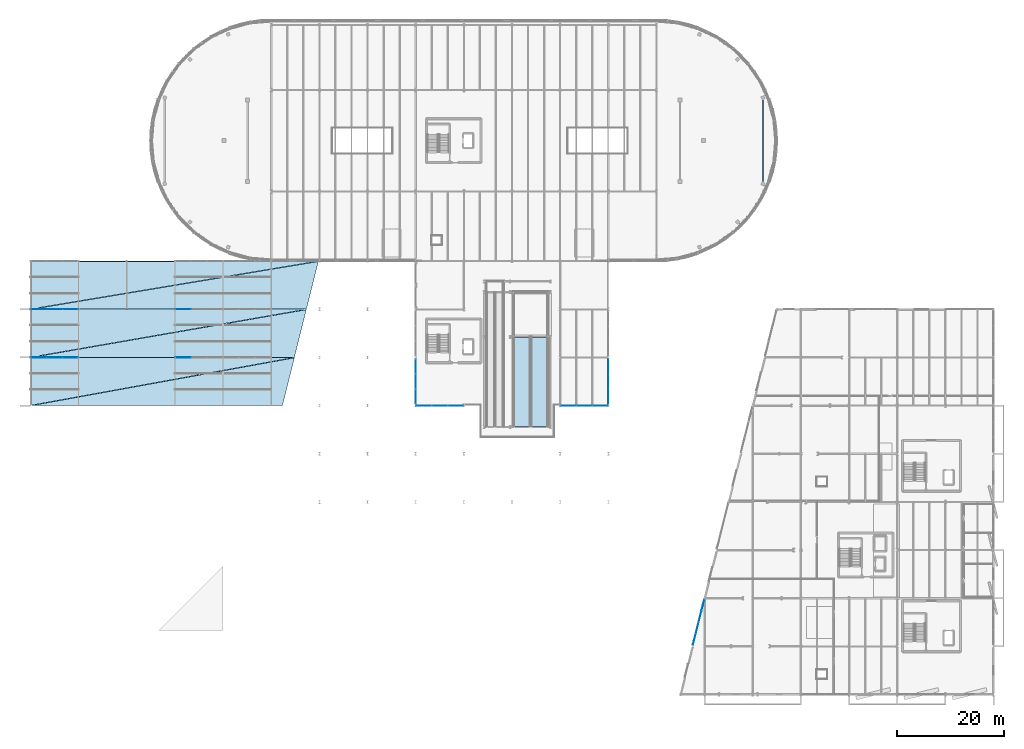
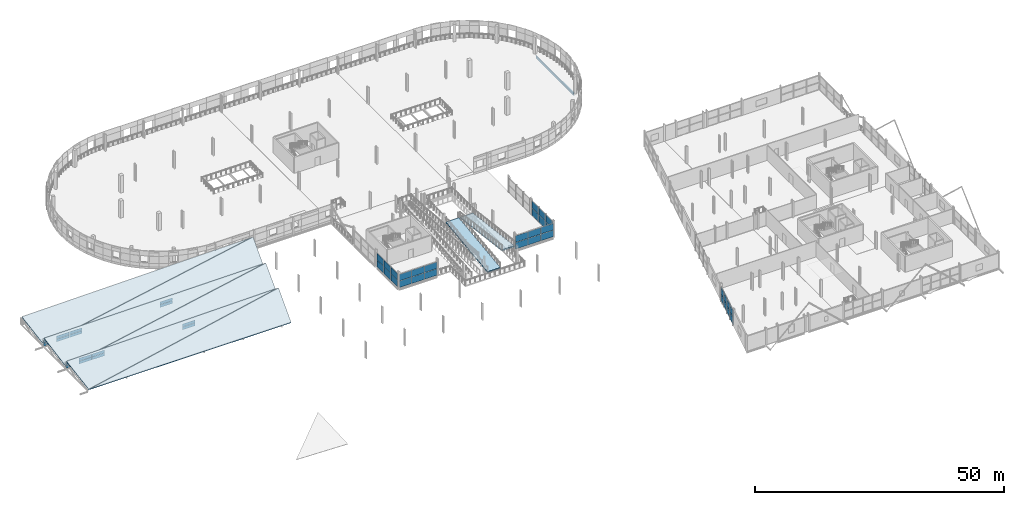
# One storey, part 71 of 103: 48 plates, 8 slabs, 1 beam, 9 elements without a shape of their own.
"""IFC4 building model written with IfcOpenShell, lengths in metres."""

from ifc_helpers import new_model, si_unit, direction, frame, origin, origin_2d, place, context, subcontext, project, spatial, polyline, rectangle, i_section, outline, extrude, material, layer, layer_set, material_profile, profile_set, type_object, element, aggregate, save


model = new_model("IFC4")

# Units and contexts
model_context = context("Model", 3, precision=1e-05, world=origin(), true_north=direction((0.0, 1.0)))
body_context = subcontext(model_context, "Body", "Model", "MODEL_VIEW")
ifc_project = project(units=[si_unit("LENGTHUNIT", "METRE"), si_unit("AREAUNIT", "SQUARE_METRE"), si_unit("VOLUMEUNIT", "CUBIC_METRE"), si_unit("PLANEANGLEUNIT", "RADIAN"), si_unit("MASSUNIT", "GRAM", prefix="KILO")], contexts=[model_context])

# Site, building, storey
site_placement = place(None, origin())
site = spatial("IfcSite", under=ifc_project, at=site_placement, CompositionType="ELEMENT")
building_placement = place(site_placement, origin())
building = spatial("IfcBuilding", under=site, at=building_placement, Name="Deido Ridge Mobility Hub", CompositionType="ELEMENT")
storey_placement = place(building_placement, frame((0.0, 0.0, 12.60009765625)))
storey = spatial("IfcBuildingStorey", under=building, at=storey_placement, Name="L03", CompositionType="ELEMENT", Elevation=12.60009765625)

# Beam
ifc_material_1 = material(Name="Steel S355J2 EN 10025-2", Category="steel")
ifc_material_profile = material_profile(ifc_material_1, i_section(OverallWidth=0.219970703125, OverallDepth=0.60009765625, WebThickness=0.011962890625, FlangeThickness=0.01904296875, FilletRadius=0.02392578125, at=origin_2d()), Name="IPE 600")
ifc_profile_set = profile_set([ifc_material_profile], Name="Steel S355J2 EN 10025-2")
beam_type = type_object("IfcBeamType", Name="BM-IPE600", PredefinedType="BEAM", material=ifc_profile_set)
beam_placement = place(storey_placement, frame((136.889892578125, 95.8505859375, -0.565185546875), z_axis=(0.0, 1.0, 0.0), x_axis=(-1.0, 0.0, 0.0)))
element("IfcBeam", 1, at=beam_placement, inside=storey, type_object=beam_type, Name="Floor beam B1", PredefinedType="BEAM", context=body_context, shape_type="SweptSolid", body=[
    extrude(i_section(OverallWidth=0.219970703125, OverallDepth=0.60009765625, WebThickness=0.011962890625, FlangeThickness=0.01904296875, FilletRadius=0.02392578125, at=origin_2d()), origin(), (0.0, 0.0, 1.0), 15.298828125),
])

# Curtain wall, plates
ifc_material_2 = material(Name="Anodised aluminium EN AW-6063 T6", Category="aluminium")
ifc_layer_1 = layer(ifc_material_2, 0.2548828125, Name="Anodised aluminium EN AW-6063 T6")
ifc_layer_set_1 = layer_set([ifc_layer_1], Name="Anodised aluminium EN AW-6063 T6")
curtain_wall_type_1 = type_object("IfcCurtainWallType", Name="CW-UF-7", PredefinedType="USERDEFINED", material=ifc_layer_set_1)
curtain_wall_1_placement = place(storey_placement, origin())
curtain_wall_1 = element("IfcCurtainWall", 2, at=curtain_wall_1_placement, inside=storey, type_object=curtain_wall_type_1, Name="Unitised curtain wall CW7", ObjectType="UNITISED FACADE", PredefinedType="USERDEFINED")
ifc_material_3 = material(Name="Laminated solar-control low-E glass", Category="glass")
ifc_layer_2 = layer(ifc_material_3, 0.02587890625, Name="Laminated solar-control low-E glass")
ifc_layer_set_2 = layer_set([ifc_layer_2], Name="Laminated solar-control low-E glass")
plate_type_1 = type_object("IfcPlateType", Name="PLT-CWP-26", PredefinedType="CURTAIN_PANEL", material=ifc_layer_set_2)
plate_1_placement = place(storey_placement, frame((108.0, 55.67919921875, 0.0498046875), z_axis=(0.0, 0.0, 1.0), x_axis=(0.0, 1.0, 0.0)))
plate_1 = element("IfcPlate", 3, at=plate_1_placement, type_object=plate_type_1, Name="CW7 panel 1.1", PredefinedType="CURTAIN_PANEL", context=body_context, shape_type="SweptSolid", body=[
    extrude(rectangle(XDim=2.75830078125, YDim=0.02587890625, at=origin_2d()), origin(), (0.0, 0.0, 1.0), 1.72509765625),
])
plate_2_placement = place(storey_placement, frame((108.0, 55.67919921875, 1.824951171875), z_axis=(0.0, 0.0, 1.0), x_axis=(0.0, 1.0, 0.0)))
plate_2 = element("IfcPlate", 4, at=plate_2_placement, type_object=plate_type_1, Name="CW7 panel 1.2", PredefinedType="CURTAIN_PANEL", context=body_context, shape_type="SweptSolid", body=[
    extrude(rectangle(XDim=2.75830078125, YDim=0.02587890625, at=origin_2d()), origin(), (0.0, 0.0, 1.0), 1.72509765625),
])
plate_3_placement = place(storey_placement, frame((108.0, 58.5, 0.0498046875), z_axis=(0.0, 0.0, 1.0), x_axis=(0.0, 1.0, 0.0)))
plate_3 = element("IfcPlate", 5, at=plate_3_placement, type_object=plate_type_1, Name="CW7 panel 2.1", PredefinedType="CURTAIN_PANEL", context=body_context, shape_type="SweptSolid", body=[
    extrude(rectangle(XDim=2.783447265625, YDim=0.02587890625, at=origin_2d()), origin(), (0.0, 0.0, 1.0), 1.72509765625),
])
plate_4_placement = place(storey_placement, frame((108.0, 58.5, 1.824951171875), z_axis=(0.0, 0.0, 1.0), x_axis=(0.0, 1.0, 0.0)))
plate_4 = element("IfcPlate", 6, at=plate_4_placement, type_object=plate_type_1, Name="CW7 panel 2.2", PredefinedType="CURTAIN_PANEL", context=body_context, shape_type="SweptSolid", body=[
    extrude(rectangle(XDim=2.783447265625, YDim=0.02587890625, at=origin_2d()), origin(), (0.0, 0.0, 1.0), 1.72509765625),
])
plate_5_placement = place(storey_placement, frame((108.0, 61.32080078125, 0.0498046875), z_axis=(0.0, 0.0, 1.0), x_axis=(0.0, 1.0, 0.0)))
plate_5 = element("IfcPlate", 7, at=plate_5_placement, type_object=plate_type_1, Name="CW7 panel 3.1", PredefinedType="CURTAIN_PANEL", context=body_context, shape_type="SweptSolid", body=[
    extrude(rectangle(XDim=2.75830078125, YDim=0.02587890625, at=origin_2d()), origin(), (0.0, 0.0, 1.0), 1.72509765625),
])
plate_6_placement = place(storey_placement, frame((108.0, 61.32080078125, 1.824951171875), z_axis=(0.0, 0.0, 1.0), x_axis=(0.0, 1.0, 0.0)))
plate_6 = element("IfcPlate", 8, at=plate_6_placement, type_object=plate_type_1, Name="CW7 panel 3.2", PredefinedType="CURTAIN_PANEL", context=body_context, shape_type="SweptSolid", body=[
    extrude(rectangle(XDim=2.75830078125, YDim=0.02587890625, at=origin_2d()), origin(), (0.0, 0.0, 1.0), 1.72509765625),
])
aggregate(curtain_wall_1, [plate_1, plate_2, plate_3, plate_4, plate_5, plate_6])

ifc_layer_3 = layer(ifc_material_2, 0.179931640625, Name="Anodised aluminium EN AW-6063 T6")
ifc_layer_set_3 = layer_set([ifc_layer_3], Name="Anodised aluminium EN AW-6063 T6")
curtain_wall_type_2 = type_object("IfcCurtainWallType", Name="CW-UF-2", PredefinedType="USERDEFINED", material=ifc_layer_set_3)
curtain_wall_2_placement = place(storey_placement, origin())
curtain_wall_2 = element("IfcCurtainWall", 9, at=curtain_wall_2_placement, inside=storey, type_object=curtain_wall_type_2, Name="Unitised curtain wall CW2", ObjectType="UNITISED FACADE", PredefinedType="USERDEFINED")
plate_7_placement = place(storey_placement, frame((124.0810546875, 10.324462890625, 0.050048828125), z_axis=(0.0, 0.0, 1.0), x_axis=(0.242530267235, 0.97014383958, 0.0)))
plate_7 = element("IfcPlate", 10, at=plate_7_placement, type_object=plate_type_1, Name="CW2 panel 1.1", PredefinedType="CURTAIN_PANEL", context=body_context, shape_type="SweptSolid", body=[
    extrude(rectangle(XDim=2.120849609375, YDim=0.02587890625, at=origin_2d()), origin(), (0.0, 0.0, 1.0), 1.64990234375),
])
plate_8_placement = place(storey_placement, frame((124.0810546875, 10.324462890625, 1.75), z_axis=(0.0, 0.0, 1.0), x_axis=(0.242530267235, 0.97014383958, 0.0)))
plate_8 = element("IfcPlate", 11, at=plate_8_placement, type_object=plate_type_1, Name="CW2 panel 1.2", PredefinedType="CURTAIN_PANEL", context=body_context, shape_type="SweptSolid", body=[
    extrude(rectangle(XDim=2.120849609375, YDim=0.02587890625, at=origin_2d()), origin(), (0.0, 0.0, 1.0), 1.64990234375),
])
plate_9_placement = place(storey_placement, frame((124.610595703125, 12.4423828125, 0.050048828125), z_axis=(0.0, 0.0, 1.0), x_axis=(0.242530267235, 0.97014383958, 0.0)))
plate_9 = element("IfcPlate", 12, at=plate_9_placement, type_object=plate_type_1, Name="CW2 panel 2.1", PredefinedType="CURTAIN_PANEL", context=body_context, shape_type="SweptSolid", body=[
    extrude(rectangle(XDim=2.145751953125, YDim=0.02587890625, at=origin_2d()), origin(), (0.0, 0.0, 1.0), 1.64990234375),
])
plate_10_placement = place(storey_placement, frame((124.610595703125, 12.4423828125, 1.75), z_axis=(0.0, 0.0, 1.0), x_axis=(0.242530267235, 0.97014383958, 0.0)))
plate_10 = element("IfcPlate", 13, at=plate_10_placement, type_object=plate_type_1, Name="CW2 panel 2.2", PredefinedType="CURTAIN_PANEL", context=body_context, shape_type="SweptSolid", body=[
    extrude(rectangle(XDim=2.145751953125, YDim=0.02587890625, at=origin_2d()), origin(), (0.0, 0.0, 1.0), 1.64990234375),
])
plate_11_placement = place(storey_placement, frame((125.14306640625, 14.57275390625, 0.050048828125), z_axis=(0.0, 0.0, 1.0), x_axis=(0.242530267235, 0.97014383958, 0.0)))
plate_11 = element("IfcPlate", 14, at=plate_11_placement, type_object=plate_type_1, Name="CW2 panel 3.1", PredefinedType="CURTAIN_PANEL", context=body_context, shape_type="SweptSolid", body=[
    extrude(rectangle(XDim=2.145751953125, YDim=0.02587890625, at=origin_2d()), origin(), (0.0, 0.0, 1.0), 1.64990234375),
])
plate_12_placement = place(storey_placement, frame((125.14306640625, 14.57275390625, 1.75), z_axis=(0.0, 0.0, 1.0), x_axis=(0.242530267235, 0.97014383958, 0.0)))
plate_12 = element("IfcPlate", 15, at=plate_12_placement, type_object=plate_type_1, Name="CW2 panel 3.2", PredefinedType="CURTAIN_PANEL", context=body_context, shape_type="SweptSolid", body=[
    extrude(rectangle(XDim=2.145751953125, YDim=0.02587890625, at=origin_2d()), origin(), (0.0, 0.0, 1.0), 1.64990234375),
])
plate_13_placement = place(storey_placement, frame((125.672607421875, 16.69091796875, 0.050048828125), z_axis=(0.0, 0.0, 1.0), x_axis=(0.242530267235, 0.97014383958, 0.0)))
plate_13 = element("IfcPlate", 16, at=plate_13_placement, type_object=plate_type_1, Name="CW2 panel 4.1", PredefinedType="CURTAIN_PANEL", context=body_context, shape_type="SweptSolid", body=[
    extrude(rectangle(XDim=2.120849609375, YDim=0.02587890625, at=origin_2d()), origin(), (0.0, 0.0, 1.0), 1.64990234375),
])
plate_14_placement = place(storey_placement, frame((125.672607421875, 16.69091796875, 1.75), z_axis=(0.0, 0.0, 1.0), x_axis=(0.242530267235, 0.97014383958, 0.0)))
plate_14 = element("IfcPlate", 17, at=plate_14_placement, type_object=plate_type_1, Name="CW2 panel 4.2", PredefinedType="CURTAIN_PANEL", context=body_context, shape_type="SweptSolid", body=[
    extrude(rectangle(XDim=2.120849609375, YDim=0.02587890625, at=origin_2d()), origin(), (0.0, 0.0, 1.0), 1.64990234375),
])
aggregate(curtain_wall_2, [plate_7, plate_8, plate_9, plate_10, plate_11, plate_12, plate_13, plate_14])

ifc_layer_4 = layer(ifc_material_2, 0.14404296875, Name="Anodised aluminium EN AW-6063 T6")
ifc_layer_set_4 = layer_set([ifc_layer_4], Name="Anodised aluminium EN AW-6063 T6")
curtain_wall_type_3 = type_object("IfcCurtainWallType", Name="CW-GS-2", PredefinedType="USERDEFINED", material=ifc_layer_set_4)
curtain_wall_3_placement = place(storey_placement, origin())
curtain_wall_3 = element("IfcCurtainWall", 18, at=curtain_wall_3_placement, inside=storey, type_object=curtain_wall_type_3, Name="Unitised curtain wall GS2", ObjectType="GLAZED SCREEN", PredefinedType="USERDEFINED")
ifc_layer_5 = layer(ifc_material_3, 0.031005859375, Name="Laminated solar-control low-E glass")
ifc_layer_set_5 = layer_set([ifc_layer_5], Name="Laminated solar-control low-E glass")
plate_type_2 = type_object("IfcPlateType", Name="PLT-CWP-31", PredefinedType="CURTAIN_PANEL", material=ifc_layer_set_5)
plate_15_placement = place(storey_placement, frame((1.514892578125, 63.0, 0.06005859375), z_axis=(0.0, 0.0, 1.0), x_axis=(1.0, 0.0, 0.0)))
plate_15 = element("IfcPlate", 19, at=plate_15_placement, type_object=plate_type_2, Name="GS2 panel 1.1", PredefinedType="CURTAIN_PANEL", context=body_context, shape_type="SweptSolid", body=[
    extrude(rectangle(XDim=2.909912109375, YDim=0.031005859375, at=origin_2d()), origin(), (0.0, 0.0, 1.0), 0.669921875),
])
plate_16_placement = place(storey_placement, frame((1.514892578125, 63.0, 0.7900390625), z_axis=(0.0, 0.0, 1.0), x_axis=(1.0, 0.0, 0.0)))
plate_16 = element("IfcPlate", 20, at=plate_16_placement, type_object=plate_type_2, Name="GS2 panel 1.2", PredefinedType="CURTAIN_PANEL", context=body_context, shape_type="SweptSolid", body=[
    extrude(rectangle(XDim=2.909912109375, YDim=0.031005859375, at=origin_2d()), origin(), (0.0, 0.0, 1.0), 0.669921875),
])
plate_17_placement = place(storey_placement, frame((4.5, 63.0, 0.06005859375), z_axis=(0.0, 0.0, 1.0), x_axis=(1.0, 0.0, 0.0)))
plate_17 = element("IfcPlate", 21, at=plate_17_placement, type_object=plate_type_2, Name="GS2 panel 2.1", PredefinedType="CURTAIN_PANEL", context=body_context, shape_type="SweptSolid", body=[
    extrude(rectangle(XDim=2.93994140625, YDim=0.031005859375, at=origin_2d()), origin(), (0.0, 0.0, 1.0), 0.669921875),
])
plate_18_placement = place(storey_placement, frame((4.5, 63.0, 0.7900390625), z_axis=(0.0, 0.0, 1.0), x_axis=(1.0, 0.0, 0.0)))
plate_18 = element("IfcPlate", 22, at=plate_18_placement, type_object=plate_type_2, Name="GS2 panel 2.2", PredefinedType="CURTAIN_PANEL", context=body_context, shape_type="SweptSolid", body=[
    extrude(rectangle(XDim=2.93994140625, YDim=0.031005859375, at=origin_2d()), origin(), (0.0, 0.0, 1.0), 0.669921875),
])
plate_19_placement = place(storey_placement, frame((7.485107421875, 63.0, 0.06005859375), z_axis=(0.0, 0.0, 1.0), x_axis=(1.0, 0.0, 0.0)))
plate_19 = element("IfcPlate", 23, at=plate_19_placement, type_object=plate_type_2, Name="GS2 panel 3.1", PredefinedType="CURTAIN_PANEL", context=body_context, shape_type="SweptSolid", body=[
    extrude(rectangle(XDim=2.909912109375, YDim=0.031005859375, at=origin_2d()), origin(), (0.0, 0.0, 1.0), 0.669921875),
])
plate_20_placement = place(storey_placement, frame((7.485107421875, 63.0, 0.7900390625), z_axis=(0.0, 0.0, 1.0), x_axis=(1.0, 0.0, 0.0)))
plate_20 = element("IfcPlate", 24, at=plate_20_placement, type_object=plate_type_2, Name="GS2 panel 3.2", PredefinedType="CURTAIN_PANEL", context=body_context, shape_type="SweptSolid", body=[
    extrude(rectangle(XDim=2.909912109375, YDim=0.031005859375, at=origin_2d()), origin(), (0.0, 0.0, 1.0), 0.669921875),
])
aggregate(curtain_wall_3, [plate_15, plate_16, plate_17, plate_18, plate_19, plate_20])

curtain_wall_4_placement = place(storey_placement, origin())
curtain_wall_4 = element("IfcCurtainWall", 25, at=curtain_wall_4_placement, inside=storey, type_object=curtain_wall_type_3, Name="Unitised curtain wall GS2", ObjectType="GLAZED SCREEN", PredefinedType="USERDEFINED")
plate_21_placement = place(storey_placement, frame((28.514892578125, 63.0, 0.06005859375), z_axis=(0.0, 0.0, 1.0), x_axis=(1.0, 0.0, 0.0)))
plate_21 = element("IfcPlate", 26, at=plate_21_placement, type_object=plate_type_2, Name="GS2 panel 1.1", PredefinedType="CURTAIN_PANEL", context=body_context, shape_type="SweptSolid", body=[
    extrude(rectangle(XDim=2.909912109375, YDim=0.031005859375, at=origin_2d()), origin(), (0.0, 0.0, 1.0), 0.669921875),
])
plate_22_placement = place(storey_placement, frame((28.514892578125, 63.0, 0.7900390625), z_axis=(0.0, 0.0, 1.0), x_axis=(1.0, 0.0, 0.0)))
plate_22 = element("IfcPlate", 27, at=plate_22_placement, type_object=plate_type_2, Name="GS2 panel 1.2", PredefinedType="CURTAIN_PANEL", context=body_context, shape_type="SweptSolid", body=[
    extrude(rectangle(XDim=2.909912109375, YDim=0.031005859375, at=origin_2d()), origin(), (0.0, 0.0, 1.0), 0.669921875),
])
aggregate(curtain_wall_4, [plate_21, plate_22])

curtain_wall_5_placement = place(storey_placement, origin())
curtain_wall_5 = element("IfcCurtainWall", 28, at=curtain_wall_5_placement, inside=storey, type_object=curtain_wall_type_3, Name="Unitised curtain wall GS2", ObjectType="GLAZED SCREEN", PredefinedType="USERDEFINED")
ifc_layer_6 = layer(ifc_material_3, 0.032958984375, Name="Laminated solar-control low-E glass")
ifc_layer_set_6 = layer_set([ifc_layer_6], Name="Laminated solar-control low-E glass")
plate_type_3 = type_object("IfcPlateType", Name="PLT-CWP-33", PredefinedType="CURTAIN_PANEL", material=ifc_layer_set_6)
plate_23_placement = place(storey_placement, frame((1.516357421875, 72.0, 0.06494140625), z_axis=(0.0, 0.0, 1.0), x_axis=(1.0, 0.0, 0.0)))
plate_23 = element("IfcPlate", 29, at=plate_23_placement, type_object=plate_type_3, Name="GS2 panel 1.1", PredefinedType="CURTAIN_PANEL", context=body_context, shape_type="SweptSolid", body=[
    extrude(rectangle(XDim=2.902587890625, YDim=0.032958984375, at=origin_2d()), origin(), (0.0, 0.0, 1.0), 0.66259765625),
])
plate_24_placement = place(storey_placement, frame((1.516357421875, 72.0, 0.792236328125), z_axis=(0.0, 0.0, 1.0), x_axis=(1.0, 0.0, 0.0)))
plate_24 = element("IfcPlate", 30, at=plate_24_placement, type_object=plate_type_3, Name="GS2 panel 1.2", PredefinedType="CURTAIN_PANEL", context=body_context, shape_type="SweptSolid", body=[
    extrude(rectangle(XDim=2.902587890625, YDim=0.032958984375, at=origin_2d()), origin(), (0.0, 0.0, 1.0), 0.66259765625),
])
plate_25_placement = place(storey_placement, frame((4.5, 72.0, 0.06494140625), z_axis=(0.0, 0.0, 1.0), x_axis=(1.0, 0.0, 0.0)))
plate_25 = element("IfcPlate", 31, at=plate_25_placement, type_object=plate_type_3, Name="GS2 panel 2.1", PredefinedType="CURTAIN_PANEL", context=body_context, shape_type="SweptSolid", body=[
    extrude(rectangle(XDim=2.93505859375, YDim=0.032958984375, at=origin_2d()), origin(), (0.0, 0.0, 1.0), 0.66259765625),
])
plate_26_placement = place(storey_placement, frame((4.5, 72.0, 0.792236328125), z_axis=(0.0, 0.0, 1.0), x_axis=(1.0, 0.0, 0.0)))
plate_26 = element("IfcPlate", 32, at=plate_26_placement, type_object=plate_type_3, Name="GS2 panel 2.2", PredefinedType="CURTAIN_PANEL", context=body_context, shape_type="SweptSolid", body=[
    extrude(rectangle(XDim=2.93505859375, YDim=0.032958984375, at=origin_2d()), origin(), (0.0, 0.0, 1.0), 0.66259765625),
])
plate_27_placement = place(storey_placement, frame((7.483642578125, 72.0, 0.06494140625), z_axis=(0.0, 0.0, 1.0), x_axis=(1.0, 0.0, 0.0)))
plate_27 = element("IfcPlate", 33, at=plate_27_placement, type_object=plate_type_3, Name="GS2 panel 3.1", PredefinedType="CURTAIN_PANEL", context=body_context, shape_type="SweptSolid", body=[
    extrude(rectangle(XDim=2.902587890625, YDim=0.032958984375, at=origin_2d()), origin(), (0.0, 0.0, 1.0), 0.66259765625),
])
plate_28_placement = place(storey_placement, frame((7.483642578125, 72.0, 0.792236328125), z_axis=(0.0, 0.0, 1.0), x_axis=(1.0, 0.0, 0.0)))
plate_28 = element("IfcPlate", 34, at=plate_28_placement, type_object=plate_type_3, Name="GS2 panel 3.2", PredefinedType="CURTAIN_PANEL", context=body_context, shape_type="SweptSolid", body=[
    extrude(rectangle(XDim=2.902587890625, YDim=0.032958984375, at=origin_2d()), origin(), (0.0, 0.0, 1.0), 0.66259765625),
])
aggregate(curtain_wall_5, [plate_23, plate_24, plate_25, plate_26, plate_27, plate_28])

curtain_wall_6_placement = place(storey_placement, origin())
curtain_wall_6 = element("IfcCurtainWall", 35, at=curtain_wall_6_placement, inside=storey, type_object=curtain_wall_type_3, Name="Unitised curtain wall GS2", ObjectType="GLAZED SCREEN", PredefinedType="USERDEFINED")
plate_29_placement = place(storey_placement, frame((28.516357421875, 72.0, 0.06494140625), z_axis=(0.0, 0.0, 1.0), x_axis=(1.0, 0.0, 0.0)))
plate_29 = element("IfcPlate", 36, at=plate_29_placement, type_object=plate_type_3, Name="GS2 panel 1.1", PredefinedType="CURTAIN_PANEL", context=body_context, shape_type="SweptSolid", body=[
    extrude(rectangle(XDim=2.902587890625, YDim=0.032958984375, at=origin_2d()), origin(), (0.0, 0.0, 1.0), 0.66259765625),
])
plate_30_placement = place(storey_placement, frame((28.516357421875, 72.0, 0.792236328125), z_axis=(0.0, 0.0, 1.0), x_axis=(1.0, 0.0, 0.0)))
plate_30 = element("IfcPlate", 37, at=plate_30_placement, type_object=plate_type_3, Name="GS2 panel 1.2", PredefinedType="CURTAIN_PANEL", context=body_context, shape_type="SweptSolid", body=[
    extrude(rectangle(XDim=2.902587890625, YDim=0.032958984375, at=origin_2d()), origin(), (0.0, 0.0, 1.0), 0.66259765625),
])
aggregate(curtain_wall_6, [plate_29, plate_30])

ifc_layer_7 = layer(ifc_material_2, 0.156005859375, Name="Anodised aluminium EN AW-6063 T6")
ifc_layer_set_7 = layer_set([ifc_layer_7], Name="Anodised aluminium EN AW-6063 T6")
curtain_wall_type_4 = type_object("IfcCurtainWallType", Name="CW-GS-3", PredefinedType="USERDEFINED", material=ifc_layer_set_7)
curtain_wall_7_placement = place(storey_placement, origin())
curtain_wall_7 = element("IfcCurtainWall", 38, at=curtain_wall_7_placement, inside=storey, type_object=curtain_wall_type_4, Name="Unitised curtain wall GS3", ObjectType="GLAZED SCREEN", PredefinedType="USERDEFINED")
ifc_layer_8 = layer(ifc_material_3, 0.034912109375, Name="Laminated solar-control low-E glass")
ifc_layer_set_8 = layer_set([ifc_layer_8], Name="Laminated solar-control low-E glass")
plate_type_4 = type_object("IfcPlateType", Name="PLT-CWP-35", PredefinedType="CURTAIN_PANEL", material=ifc_layer_set_8)
plate_31_placement = place(storey_placement, frame((73.522216796875, 54.0, 0.06982421875), z_axis=(0.0, 0.0, 1.0), x_axis=(1.0, 0.0, 0.0)))
plate_31 = element("IfcPlate", 39, at=plate_31_placement, type_object=plate_type_4, Name="GS3 panel 1.1", PredefinedType="CURTAIN_PANEL", context=body_context, shape_type="SweptSolid", body=[
    extrude(rectangle(XDim=2.89013671875, YDim=0.034912109375, at=origin_2d()), origin(), (0.0, 0.0, 1.0), 1.594970703125),
])
plate_32_placement = place(storey_placement, frame((73.522216796875, 54.0, 1.73486328125), z_axis=(0.0, 0.0, 1.0), x_axis=(1.0, 0.0, 0.0)))
plate_32 = element("IfcPlate", 40, at=plate_32_placement, type_object=plate_type_4, Name="GS3 panel 1.2", PredefinedType="CURTAIN_PANEL", context=body_context, shape_type="SweptSolid", body=[
    extrude(rectangle(XDim=2.89013671875, YDim=0.034912109375, at=origin_2d()), origin(), (0.0, 0.0, 1.0), 1.594970703125),
])
plate_33_placement = place(storey_placement, frame((76.5, 54.0, 0.06982421875), z_axis=(0.0, 0.0, 1.0), x_axis=(1.0, 0.0, 0.0)))
plate_33 = element("IfcPlate", 41, at=plate_33_placement, type_object=plate_type_4, Name="GS3 panel 2.1", PredefinedType="CURTAIN_PANEL", context=body_context, shape_type="SweptSolid", body=[
    extrude(rectangle(XDim=2.92529296875, YDim=0.034912109375, at=origin_2d()), origin(), (0.0, 0.0, 1.0), 1.594970703125),
])
plate_34_placement = place(storey_placement, frame((76.5, 54.0, 1.73486328125), z_axis=(0.0, 0.0, 1.0), x_axis=(1.0, 0.0, 0.0)))
plate_34 = element("IfcPlate", 42, at=plate_34_placement, type_object=plate_type_4, Name="GS3 panel 2.2", PredefinedType="CURTAIN_PANEL", context=body_context, shape_type="SweptSolid", body=[
    extrude(rectangle(XDim=2.92529296875, YDim=0.034912109375, at=origin_2d()), origin(), (0.0, 0.0, 1.0), 1.594970703125),
])
plate_35_placement = place(storey_placement, frame((79.477783203125, 54.0, 0.06982421875), z_axis=(0.0, 0.0, 1.0), x_axis=(1.0, 0.0, 0.0)))
plate_35 = element("IfcPlate", 43, at=plate_35_placement, type_object=plate_type_4, Name="GS3 panel 3.1", PredefinedType="CURTAIN_PANEL", context=body_context, shape_type="SweptSolid", body=[
    extrude(rectangle(XDim=2.89013671875, YDim=0.034912109375, at=origin_2d()), origin(), (0.0, 0.0, 1.0), 1.594970703125),
])
plate_36_placement = place(storey_placement, frame((79.477783203125, 54.0, 1.73486328125), z_axis=(0.0, 0.0, 1.0), x_axis=(1.0, 0.0, 0.0)))
plate_36 = element("IfcPlate", 44, at=plate_36_placement, type_object=plate_type_4, Name="GS3 panel 3.2", PredefinedType="CURTAIN_PANEL", context=body_context, shape_type="SweptSolid", body=[
    extrude(rectangle(XDim=2.89013671875, YDim=0.034912109375, at=origin_2d()), origin(), (0.0, 0.0, 1.0), 1.594970703125),
])
aggregate(curtain_wall_7, [plate_31, plate_32, plate_33, plate_34, plate_35, plate_36])

curtain_wall_8_placement = place(storey_placement, origin())
curtain_wall_8 = element("IfcCurtainWall", 45, at=curtain_wall_8_placement, inside=storey, type_object=curtain_wall_type_4, Name="Unitised curtain wall GS3", ObjectType="GLAZED SCREEN", PredefinedType="USERDEFINED")
plate_37_placement = place(storey_placement, frame((100.522216796875, 54.0, 0.06982421875), z_axis=(0.0, 0.0, 1.0), x_axis=(1.0, 0.0, 0.0)))
plate_37 = element("IfcPlate", 46, at=plate_37_placement, type_object=plate_type_4, Name="GS3 panel 1.1", PredefinedType="CURTAIN_PANEL", context=body_context, shape_type="SweptSolid", body=[
    extrude(rectangle(XDim=2.89013671875, YDim=0.034912109375, at=origin_2d()), origin(), (0.0, 0.0, 1.0), 1.594970703125),
])
plate_38_placement = place(storey_placement, frame((100.522216796875, 54.0, 1.73486328125), z_axis=(0.0, 0.0, 1.0), x_axis=(1.0, 0.0, 0.0)))
plate_38 = element("IfcPlate", 47, at=plate_38_placement, type_object=plate_type_4, Name="GS3 panel 1.2", PredefinedType="CURTAIN_PANEL", context=body_context, shape_type="SweptSolid", body=[
    extrude(rectangle(XDim=2.89013671875, YDim=0.034912109375, at=origin_2d()), origin(), (0.0, 0.0, 1.0), 1.594970703125),
])
plate_39_placement = place(storey_placement, frame((103.5, 54.0, 0.06982421875), z_axis=(0.0, 0.0, 1.0), x_axis=(1.0, 0.0, 0.0)))
plate_39 = element("IfcPlate", 48, at=plate_39_placement, type_object=plate_type_4, Name="GS3 panel 2.1", PredefinedType="CURTAIN_PANEL", context=body_context, shape_type="SweptSolid", body=[
    extrude(rectangle(XDim=2.92529296875, YDim=0.034912109375, at=origin_2d()), origin(), (0.0, 0.0, 1.0), 1.594970703125),
])
plate_40_placement = place(storey_placement, frame((103.5, 54.0, 1.73486328125), z_axis=(0.0, 0.0, 1.0), x_axis=(1.0, 0.0, 0.0)))
plate_40 = element("IfcPlate", 49, at=plate_40_placement, type_object=plate_type_4, Name="GS3 panel 2.2", PredefinedType="CURTAIN_PANEL", context=body_context, shape_type="SweptSolid", body=[
    extrude(rectangle(XDim=2.92529296875, YDim=0.034912109375, at=origin_2d()), origin(), (0.0, 0.0, 1.0), 1.594970703125),
])
plate_41_placement = place(storey_placement, frame((106.477783203125, 54.0, 0.06982421875), z_axis=(0.0, 0.0, 1.0), x_axis=(1.0, 0.0, 0.0)))
plate_41 = element("IfcPlate", 50, at=plate_41_placement, type_object=plate_type_4, Name="GS3 panel 3.1", PredefinedType="CURTAIN_PANEL", context=body_context, shape_type="SweptSolid", body=[
    extrude(rectangle(XDim=2.89013671875, YDim=0.034912109375, at=origin_2d()), origin(), (0.0, 0.0, 1.0), 1.594970703125),
])
plate_42_placement = place(storey_placement, frame((106.477783203125, 54.0, 1.73486328125), z_axis=(0.0, 0.0, 1.0), x_axis=(1.0, 0.0, 0.0)))
plate_42 = element("IfcPlate", 51, at=plate_42_placement, type_object=plate_type_4, Name="GS3 panel 3.2", PredefinedType="CURTAIN_PANEL", context=body_context, shape_type="SweptSolid", body=[
    extrude(rectangle(XDim=2.89013671875, YDim=0.034912109375, at=origin_2d()), origin(), (0.0, 0.0, 1.0), 1.594970703125),
])
aggregate(curtain_wall_8, [plate_37, plate_38, plate_39, plate_40, plate_41, plate_42])

ifc_layer_9 = layer(ifc_material_2, 0.2099609375, Name="Anodised aluminium EN AW-6063 T6")
ifc_layer_set_9 = layer_set([ifc_layer_9], Name="Anodised aluminium EN AW-6063 T6")
curtain_wall_type_5 = type_object("IfcCurtainWallType", Name="CW-UF-4", PredefinedType="USERDEFINED", material=ifc_layer_set_9)
curtain_wall_9_placement = place(storey_placement, origin())
curtain_wall_9 = element("IfcCurtainWall", 52, at=curtain_wall_9_placement, inside=storey, type_object=curtain_wall_type_5, Name="Unitised curtain wall CW4", ObjectType="UNITISED FACADE", PredefinedType="USERDEFINED")
ifc_layer_10 = layer(ifc_material_3, 0.037109375, Name="Laminated solar-control low-E glass")
ifc_layer_set_10 = layer_set([ifc_layer_10], Name="Laminated solar-control low-E glass")
plate_type_5 = type_object("IfcPlateType", Name="PLT-CWP-37", PredefinedType="CURTAIN_PANEL", material=ifc_layer_set_10)
plate_43_placement = place(storey_placement, frame((72.0, 55.685302734375, 0.07470703125), z_axis=(0.0, 0.0, 1.0), x_axis=(0.0, 1.0, 0.0)))
plate_43 = element("IfcPlate", 53, at=plate_43_placement, type_object=plate_type_5, Name="CW4 panel 1.1", PredefinedType="CURTAIN_PANEL", context=body_context, shape_type="SweptSolid", body=[
    extrude(rectangle(XDim=2.720947265625, YDim=0.037109375, at=origin_2d()), origin(), (0.0, 0.0, 1.0), 1.612548828125),
])
plate_44_placement = place(storey_placement, frame((72.0, 55.685302734375, 1.76220703125), z_axis=(0.0, 0.0, 1.0), x_axis=(0.0, 1.0, 0.0)))
plate_44 = element("IfcPlate", 54, at=plate_44_placement, type_object=plate_type_5, Name="CW4 panel 1.2", PredefinedType="CURTAIN_PANEL", context=body_context, shape_type="SweptSolid", body=[
    extrude(rectangle(XDim=2.720947265625, YDim=0.037109375, at=origin_2d()), origin(), (0.0, 0.0, 1.0), 1.612548828125),
])
plate_45_placement = place(storey_placement, frame((72.0, 58.5, 0.07470703125), z_axis=(0.0, 0.0, 1.0), x_axis=(0.0, 1.0, 0.0)))
plate_45 = element("IfcPlate", 55, at=plate_45_placement, type_object=plate_type_5, Name="CW4 panel 2.1", PredefinedType="CURTAIN_PANEL", context=body_context, shape_type="SweptSolid", body=[
    extrude(rectangle(XDim=2.75830078125, YDim=0.037109375, at=origin_2d()), origin(), (0.0, 0.0, 1.0), 1.612548828125),
])
plate_46_placement = place(storey_placement, frame((72.0, 58.5, 1.76220703125), z_axis=(0.0, 0.0, 1.0), x_axis=(0.0, 1.0, 0.0)))
plate_46 = element("IfcPlate", 56, at=plate_46_placement, type_object=plate_type_5, Name="CW4 panel 2.2", PredefinedType="CURTAIN_PANEL", context=body_context, shape_type="SweptSolid", body=[
    extrude(rectangle(XDim=2.75830078125, YDim=0.037109375, at=origin_2d()), origin(), (0.0, 0.0, 1.0), 1.612548828125),
])
plate_47_placement = place(storey_placement, frame((72.0, 61.314697265625, 0.07470703125), z_axis=(0.0, 0.0, 1.0), x_axis=(0.0, 1.0, 0.0)))
plate_47 = element("IfcPlate", 57, at=plate_47_placement, type_object=plate_type_5, Name="CW4 panel 3.1", PredefinedType="CURTAIN_PANEL", context=body_context, shape_type="SweptSolid", body=[
    extrude(rectangle(XDim=2.720947265625, YDim=0.037109375, at=origin_2d()), origin(), (0.0, 0.0, 1.0), 1.612548828125),
])
plate_48_placement = place(storey_placement, frame((72.0, 61.314697265625, 1.76220703125), z_axis=(0.0, 0.0, 1.0), x_axis=(0.0, 1.0, 0.0)))
plate_48 = element("IfcPlate", 58, at=plate_48_placement, type_object=plate_type_5, Name="CW4 panel 3.2", PredefinedType="CURTAIN_PANEL", context=body_context, shape_type="SweptSolid", body=[
    extrude(rectangle(XDim=2.720947265625, YDim=0.037109375, at=origin_2d()), origin(), (0.0, 0.0, 1.0), 1.612548828125),
])
aggregate(curtain_wall_9, [plate_43, plate_44, plate_45, plate_46, plate_47, plate_48])

# Slabs
ifc_material_4 = material(Name="Concrete C35/45", Category="concrete")
ifc_layer_11 = layer(ifc_material_4, 0.280029296875, Name="Concrete C35/45")
ifc_layer_set_11 = layer_set([ifc_layer_11], Name="Concrete C35/45")
slab_type_1 = type_object("IfcSlabType", Name="SLB-RMP-280", PredefinedType="FLOOR", material=ifc_layer_set_11)
slab_1_placement = place(storey_placement, frame((90.35009765625, 50.050048828125, 0.0), z_axis=(0.0, -0.124757721378, 0.992187235836), x_axis=(1.0, 0.0, 0.0)))
element("IfcSlab", 59, at=slab_1_placement, inside=storey, type_object=slab_type_1, Name="Vehicle ramp structural slab VR1 L03-1", PredefinedType="FLOOR", context=body_context, shape_type="SweptSolid", body=[
    extrude(outline(polyline([(0.0, 0.0), (3.0, 0.0), (3.0, 16.831451331661565), (0.0, 16.831451331661565), (0.0, 0.0)])), origin(), (0.0, 0.0, -1.0), 0.280029296875),
])
slab_2_placement = place(storey_placement, frame((93.64990234375, 66.75, 2.099853515625), z_axis=(0.0, 0.124772000601, 0.992185440261), x_axis=(1.0, 0.0, 0.0)))
element("IfcSlab", 60, at=slab_2_placement, inside=storey, type_object=slab_type_1, Name="Vehicle ramp structural slab VR1 L03-2", PredefinedType="FLOOR", context=body_context, shape_type="SweptSolid", body=[
    extrude(outline(polyline([(0.0, 0.0), (3.0, 0.0), (3.0, -16.831481791832708), (0.0, -16.831481791832708), (0.0, 0.0)])), origin(), (0.0, 0.0, -1.0), 0.280029296875),
])
ifc_layer_12 = layer(ifc_material_4, 0.139892578125, Name="Concrete C35/45")
ifc_layer_set_12 = layer_set([ifc_layer_12], Name="Concrete C35/45")
slab_type_2 = type_object("IfcSlabType", Name="SLB-ROOF-140", PredefinedType="ROOF", material=ifc_layer_set_12)
slab_3_placement = place(storey_placement, frame((0.322509765625, 54.030029296875, 0.28759765625), z_axis=(0.0, -0.246588592299, 0.969120253709), x_axis=(1.0, 0.0, 0.0)))
element("IfcSlab", 61, at=slab_3_placement, inside=storey, type_object=slab_type_2, Name="Bicycle hall diagonal sawtooth shard slab 1-1", PredefinedType="ROOF", context=body_context, shape_type="SweptSolid", body=[
    extrude(outline(polyline([(0.0, 0.0), (46.777587890625, 0.0), (49.0048828125, 9.193814777143473), (0.0, 0.0)])), origin(), (0.0, 0.0, -1.0), 0.139892578125),
])
slab_4_placement = place(storey_placement, frame((0.1650390625, 54.06005859375, 0.29248046875), z_axis=(-0.015942434526, -0.163312885577, 0.986445507966), x_axis=(0.982852566842, 0.178699131279, 0.045469246008)))
element("IfcSlab", 62, at=slab_4_placement, inside=storey, type_object=slab_type_2, Name="Bicycle hall diagonal sawtooth shard slab 1-2", PredefinedType="ROOF", context=body_context, shape_type="SweptSolid", body=[
    extrude(outline(polyline([(0.0, 0.0), (49.85985127959449, 1.0547118733938987e-15), (1.6592651319373115, 8.877459440301521), (0.0, 0.0)])), origin(), (0.0, 0.0, -1.0), 0.139892578125),
])
slab_5_placement = place(storey_placement, frame((0.33740234375, 63.030029296875, 0.287109375), z_axis=(0.0, -0.23131057459, 0.972879960778), x_axis=(1.0, 0.0, 0.0)))
element("IfcSlab", 63, at=slab_5_placement, inside=storey, type_object=slab_type_2, Name="Bicycle hall diagonal sawtooth shard slab 2-1", PredefinedType="ROOF", context=body_context, shape_type="SweptSolid", body=[
    extrude(outline(polyline([(0.0, 0.0), (49.005126953125, 0.0), (51.232666015625, 9.158285162182631), (0.0, 0.0)])), origin(), (0.0, 0.0, -1.0), 0.139892578125),
])
slab_6_placement = place(storey_placement, frame((0.172607421875, 63.06005859375, 0.292724609375), z_axis=(-0.00854706963, -0.184546822301, 0.982786557692), x_axis=(0.98439532257, 0.171197758841, 0.040708429955)))
element("IfcSlab", 64, at=slab_6_placement, inside=storey, type_object=slab_type_2, Name="Bicycle hall diagonal sawtooth shard slab 2-2", PredefinedType="ROOF", context=body_context, shape_type="SweptSolid", body=[
    extrude(outline(polyline([(0.0, 0.0), (52.044560452831604, 1.6653345369377348e-16), (1.5934660838319952, 8.924497121310518), (0.0, 0.0)])), origin(), (0.0, 0.0, -1.0), 0.139892578125),
])
slab_7_placement = place(storey_placement, frame((0.3525390625, 72.030029296875, 0.28759765625), z_axis=(0.0, -0.246588592299, 0.969120253709), x_axis=(1.0, 0.0, 0.0)))
element("IfcSlab", 65, at=slab_7_placement, inside=storey, type_object=slab_type_2, Name="Bicycle hall diagonal sawtooth shard slab 3-1", PredefinedType="ROOF", context=body_context, shape_type="SweptSolid", body=[
    extrude(outline(polyline([(0.0, 0.0), (51.232421875, 0.0), (53.4599609375, 9.193814777143473), (0.0, 0.0)])), origin(), (0.0, 0.0, -1.0), 0.139892578125),
])
slab_8_placement = place(storey_placement, frame((0.179931640625, 72.06005859375, 0.29248046875), z_axis=(-0.014614170688, -0.163316200595, 0.986465531399), x_axis=(0.985532316308, 0.16425388581, 0.041793713759)))
element("IfcSlab", 66, at=slab_8_placement, inside=storey, type_object=slab_type_2, Name="Bicycle hall diagonal sawtooth shard slab 3-2", PredefinedType="ROOF", context=body_context, shape_type="SweptSolid", body=[
    extrude(outline(polyline([(0.0, 0.0), (54.24475692263214, -5.551115123125783e-17), (1.5251374954045365, 8.901483163629122), (0.0, 0.0)])), origin(), (0.0, 0.0, -1.0), 0.139892578125),
])

save(model, "model.ifc")
